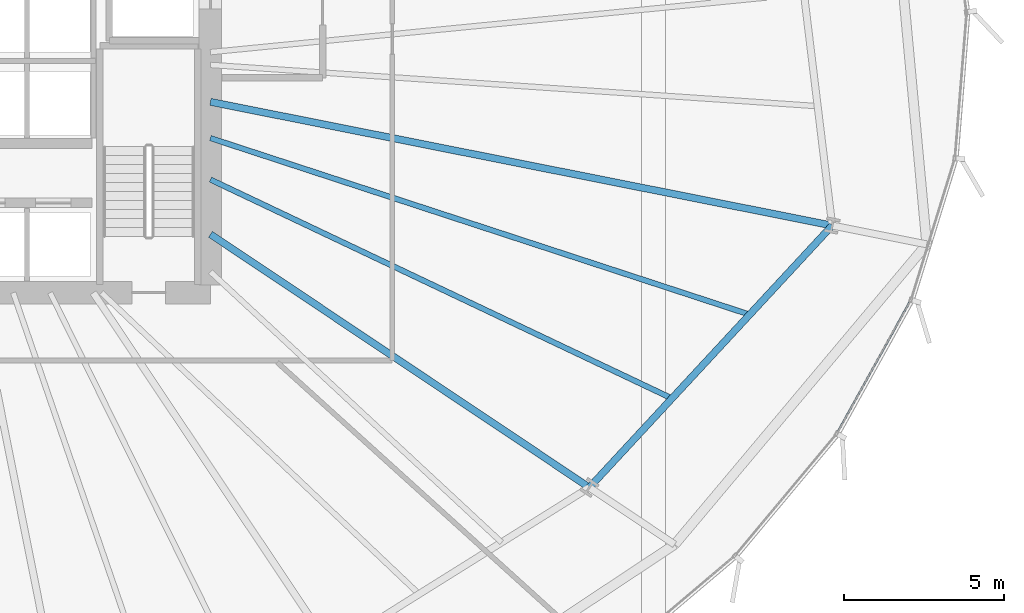
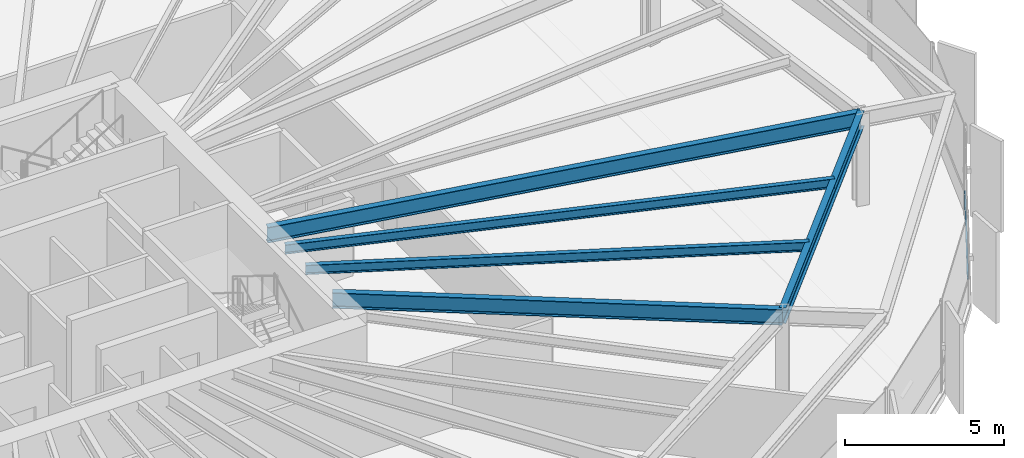
# One storey, part 16 of 42: 5 beams, 1 member, 1 element without a shape of its own.
"""IFC4 building model written with IfcOpenShell, lengths in metres."""

from ifc_helpers import new_model, si_unit, direction, frame, origin, origin_2d, place, context, subcontext, project, spatial, hollow_rectangle, i_section, extrude, source, transform, mapped, material, layer, layer_set, material_profile, profile_set, type_object, element, aggregate, save


model = new_model("IFC4")

# Units and contexts
model_context = context("Model", 3, precision=1e-05, world=origin(), true_north=direction((0.0, 1.0)))
body_context = subcontext(model_context, "Body", "Model", "MODEL_VIEW")
ifc_project = project(units=[si_unit("LENGTHUNIT", "METRE"), si_unit("AREAUNIT", "SQUARE_METRE"), si_unit("VOLUMEUNIT", "CUBIC_METRE"), si_unit("PLANEANGLEUNIT", "RADIAN"), si_unit("MASSUNIT", "GRAM", prefix="KILO"), si_unit("THERMODYNAMICTEMPERATUREUNIT", "KELVIN")], contexts=[model_context])

# Site, building, storey
site_placement = place(None, origin())
site = spatial("IfcSite", under=ifc_project, at=site_placement, CompositionType="ELEMENT")
building_placement = place(site_placement, origin())
building = spatial("IfcBuilding", under=site, at=building_placement, Name="Kethvar Cultural Tower", CompositionType="ELEMENT")
storey_placement = place(building_placement, frame((0.0, 0.0, 37.199951171875)))
storey = spatial("IfcBuildingStorey", under=building, at=storey_placement, Name="L08", CompositionType="ELEMENT", Elevation=37.199951171875)

# Beams
ifc_material_1 = material(Name="Steel S355J2", Category="steel")
ifc_material_profile_1 = material_profile(ifc_material_1, i_section(OverallWidth=0.219970703125, OverallDepth=0.60009765625, WebThickness=0.011962890625, FlangeThickness=0.01904296875, FilletRadius=0.02392578125, at=origin_2d()), Name="Steel S355J2 — IPE600")
ifc_profile_set_1 = profile_set([ifc_material_profile_1], Name="Steel S355J2 — IPE600")
beam_type_1 = type_object("IfcBeamType", Name="BM-IPE600", PredefinedType="BEAM", material=ifc_profile_set_1)
shared_shape_1 = source(origin(), body_context, "Body", "SweptSolid", [
    extrude(i_section(OverallWidth=0.219970703125, OverallDepth=0.60009765625, WebThickness=0.011962890625, FlangeThickness=0.01904296875, FilletRadius=0.02392578125, at=origin_2d()), origin(), (0.0, 0.0, 1.0), 14.2138671875),
])
beam_1_placement = place(storey_placement, frame((55.60009765625, 21.920166015625, 3.248046875), z_axis=(0.831463197362, -0.555579833537, 0.0), x_axis=(0.555579833537, 0.831463197362, 0.0)))
element("IfcBeam", 1, at=beam_1_placement, inside=storey, type_object=beam_type_1, Name="L08 Primary Radial Beam RB-15", PredefinedType="BEAM", context=body_context, shape_type="MappedRepresentation", body=[
    mapped(shared_shape_1, transform((0.0, 0.0, 0.0), scale=1.0)),
])
shared_shape_2 = source(origin(), body_context, "Body", "SweptSolid", [
    extrude(i_section(OverallWidth=0.219970703125, OverallDepth=0.60009765625, WebThickness=0.011962890625, FlangeThickness=0.01904296875, FilletRadius=0.02392578125, at=origin_2d()), origin(), (0.0, 0.0, 1.0), 19.77099609375),
])
beam_2_placement = place(storey_placement, frame((55.60009765625, 26.049560546875, 3.248046875), z_axis=(0.980784840197, -0.195092535068, 0.0), x_axis=(0.195092535068, 0.980784840197, 0.0)))
element("IfcBeam", 2, at=beam_2_placement, inside=storey, type_object=beam_type_1, Name="L08 Primary Radial Beam RB-16", PredefinedType="BEAM", context=body_context, shape_type="MappedRepresentation", body=[
    mapped(shared_shape_2, transform((0.0, 0.0, 0.0), scale=1.0)),
])
shared_shape_3 = source(origin(), body_context, "Body", "SweptSolid", [
    extrude(i_section(OverallWidth=0.219970703125, OverallDepth=0.60009765625, WebThickness=0.011962890625, FlangeThickness=0.01904296875, FilletRadius=0.02392578125, at=origin_2d()), origin(), (0.0, 0.0, 1.0), 11.13916015625),
])
beam_3_placement = place(storey_placement, frame((67.41845703125, 14.023193359375, 3.248046875), z_axis=(0.679827924457, 0.73337166098, 0.0), x_axis=(-0.73337166098, 0.679827924457, 0.0)))
element("IfcBeam", 3, at=beam_3_placement, inside=storey, type_object=beam_type_1, Name="L08 Column Ring Tie Beam CR-15", PredefinedType="BEAM", context=body_context, shape_type="MappedRepresentation", body=[
    mapped(shared_shape_3, transform((0.0, 0.0, 0.0), scale=1.0)),
])
ifc_material_profile_2 = material_profile(ifc_material_1, i_section(OverallWidth=0.169921875, OverallDepth=0.360107421875, WebThickness=0.008056640625, FlangeThickness=0.0126953125, FilletRadius=0.01806640625, at=origin_2d()), Name="Steel S355J2 — IPE360")
ifc_profile_set_2 = profile_set([ifc_material_profile_2], Name="Steel S355J2 — IPE360")
beam_type_2 = type_object("IfcBeamType", Name="BM-J360", PredefinedType="JOIST", material=ifc_profile_set_2)
shared_shape_4 = source(origin(), body_context, "Body", "SweptSolid", [
    extrude(i_section(OverallWidth=0.169921875, OverallDepth=0.360107421875, WebThickness=0.008056640625, FlangeThickness=0.0126953125, FilletRadius=0.01806640625, at=origin_2d()), origin(), (0.0, 0.0, 1.0), 15.9296875),
])
beam_4_placement = place(storey_placement, frame((55.60009765625, 23.626708984375, 3.3681640625), z_axis=(0.903539576646, -0.428504648089, 0.0), x_axis=(0.428504648089, 0.903539576646, 0.0)))
element("IfcBeam", 4, at=beam_4_placement, inside=storey, type_object=beam_type_2, Name="L08 Composite Floor Joist J-15A", PredefinedType="JOIST", context=body_context, shape_type="MappedRepresentation", body=[
    mapped(shared_shape_4, transform((0.0, 0.0, 0.0), scale=1.0)),
])
shared_shape_5 = source(origin(), body_context, "Body", "SweptSolid", [
    extrude(i_section(OverallWidth=0.169921875, OverallDepth=0.360107421875, WebThickness=0.008056640625, FlangeThickness=0.0126953125, FilletRadius=0.01806640625, at=origin_2d()), origin(), (0.0, 0.0, 1.0), 17.6943359375),
])
beam_5_placement = place(storey_placement, frame((55.60009765625, 24.91943359375, 3.3681640625), z_axis=(0.950378958587, -0.311094575773, 0.0), x_axis=(0.311094575773, 0.950378958587, 0.0)))
element("IfcBeam", 5, at=beam_5_placement, inside=storey, type_object=beam_type_2, Name="L08 Composite Floor Joist J-15B", PredefinedType="JOIST", context=body_context, shape_type="MappedRepresentation", body=[
    mapped(shared_shape_5, transform((0.0, 0.0, 0.0), scale=1.0)),
])

# Curtain wall, member
ifc_material_2 = material(Name="Aluminium 6063-T6", Category="aluminium")
ifc_layer = layer(ifc_material_2, 0.179931640625, Name="Aluminium 6063-T6", Category="aluminium")
ifc_layer_set = layer_set([ifc_layer], Name="Aluminium 6063-T6 (180 mm)")
curtain_wall_type = type_object("IfcCurtainWallType", Name="CW-SYS-02-Z1", PredefinedType="NOTDEFINED", material=ifc_layer_set)
curtain_wall_placement = place(storey_placement, origin())
curtain_wall = element("IfcCurtainWall", 6, at=curtain_wall_placement, inside=storey, type_object=curtain_wall_type, Name="L08 Curtain Wall Run 06", PredefinedType="NOTDEFINED")
ifc_material_profile_3 = material_profile(ifc_material_2, hollow_rectangle(XDim=0.054931640625, YDim=0.1201171875, WallThickness=0.00390625, at=origin_2d()), Name="Aluminium 6063-T6 — RHS120x55x4")
ifc_profile_set_3 = profile_set([ifc_material_profile_3], Name="Aluminium 6063-T6 — RHS120x55x4")
member_type = type_object("IfcMemberType", Name="CW-SYS-02-Z1-TRN", PredefinedType="USERDEFINED", material=ifc_profile_set_3)
shared_shape_6 = source(origin(), body_context, "Body", "SweptSolid", [
    extrude(hollow_rectangle(XDim=0.054931640625, YDim=0.1201171875, WallThickness=0.00390625, at=origin_2d()), origin(), (0.0, 0.0, 1.0), 4.70263671875),
])
member_placement = place(storey_placement, frame((75.156005859375, 15.7451171875, 0.949951171875), z_axis=(0.484527332334, 0.874776122343, 0.0), x_axis=(-0.874776122343, 0.484527332334, 0.0)))
member = element("IfcMember", 7, at=member_placement, type_object=member_type, Name="CW-L08-R06 Transom 4", ObjectType="TRANSOM", PredefinedType="USERDEFINED", context=body_context, shape_type="MappedRepresentation", body=[
    mapped(shared_shape_6, transform((0.0, 0.0, 0.0), scale=1.0)),
])
aggregate(curtain_wall, [member])

save(model, "model.ifc")
